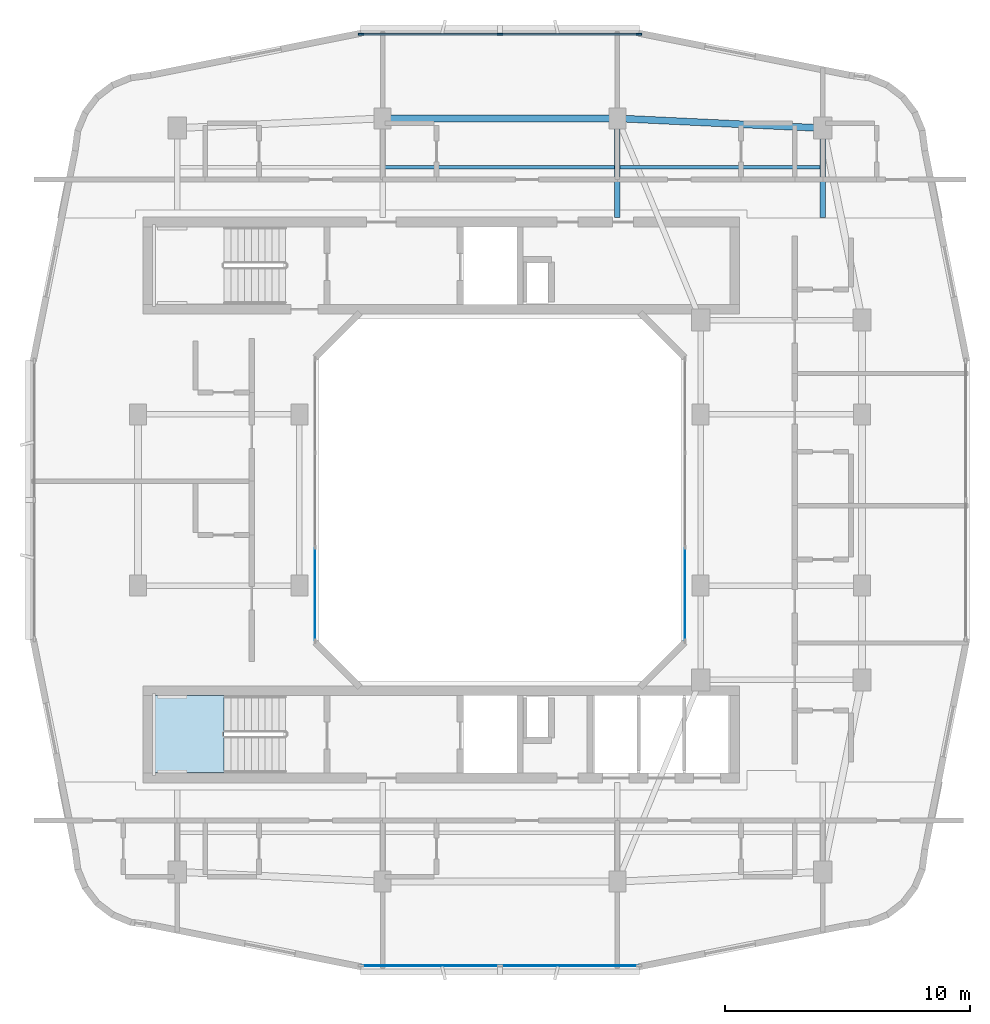
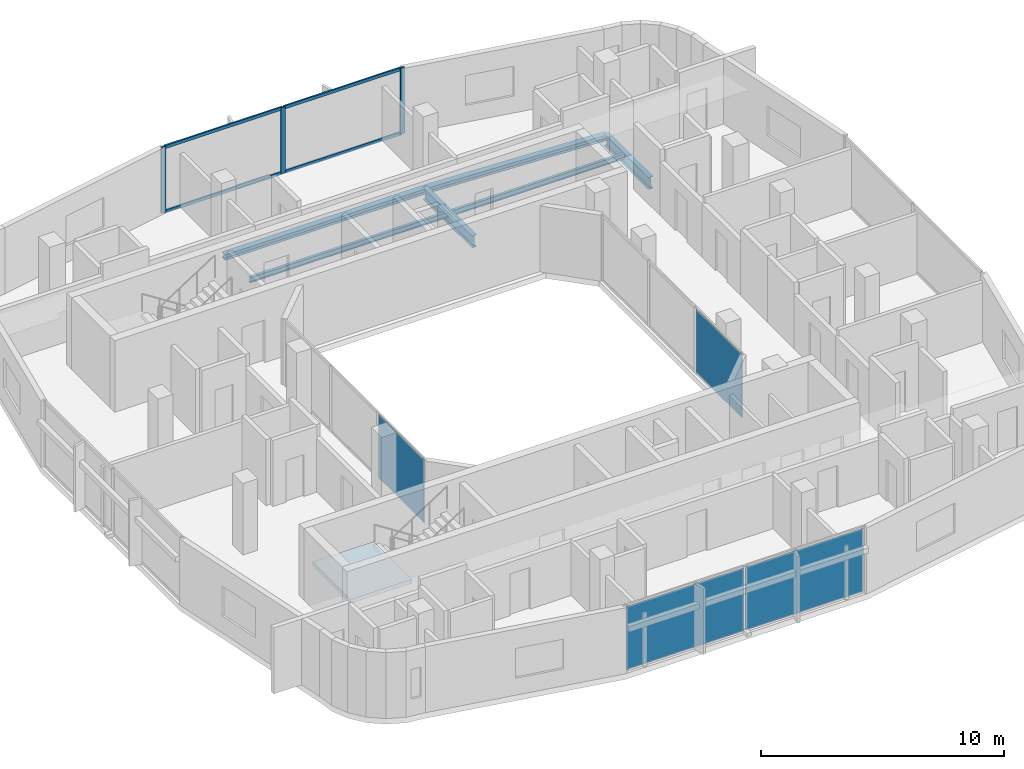
# One storey, part 5 of 14: 7 members, 6 beams, 4 plates, 1 slab, 5 elements without a shape of their own.
"""IFC4 building model written with IfcOpenShell, lengths in metres."""

from ifc_helpers import new_model, si_unit, derived_unit, direction, frame, origin, origin_2d, place, context, subcontext, project, spatial, polyline, rectangle, i_section, outline, extrude, material, layer, layer_set, material_profile, profile_set, type_object, element, aggregate, save


model = new_model("IFC4")

# Units and contexts
model_context = context("Model", 3, precision=1e-05, world=origin(), true_north=direction((0.0, 1.0)))
body_context = subcontext(model_context, "Body", "Model", "MODEL_VIEW")
ifc_project = project(units=[si_unit("LENGTHUNIT", "METRE"), si_unit("AREAUNIT", "SQUARE_METRE"), si_unit("VOLUMEUNIT", "CUBIC_METRE"), si_unit("PLANEANGLEUNIT", "RADIAN"), si_unit("MASSUNIT", "GRAM", prefix="KILO"), derived_unit("THERMALTRANSMITTANCEUNIT", [(si_unit("POWERUNIT", "WATT"), 1), (si_unit("LENGTHUNIT", "METRE"), -2), (si_unit("THERMODYNAMICTEMPERATUREUNIT", "KELVIN"), -1)])], contexts=[model_context])

# Site, building, storey
site_placement = place(None, origin())
site = spatial("IfcSite", under=ifc_project, at=site_placement, CompositionType="ELEMENT")
building_placement = place(site_placement, origin())
building = spatial("IfcBuilding", under=site, at=building_placement, Name="Kivonza Crest Hotel", CompositionType="ELEMENT")
storey_placement = place(building_placement, frame((0.0, 0.0, 224.300048828125)))
storey = spatial("IfcBuildingStorey", under=building, at=storey_placement, Name="L61", CompositionType="ELEMENT", Elevation=224.300048828125)

# Beams
ifc_material_1 = material(Name="Steel S355", Category="steel")
ifc_material_profile_1 = material_profile(ifc_material_1, i_section(OverallWidth=0.280029296875, OverallDepth=0.280029296875, WebThickness=0.010498046875, FlangeThickness=0.01806640625, FilletRadius=0.02392578125, at=origin_2d()), Name="HEB 280")
ifc_profile_set_1 = profile_set([ifc_material_profile_1], Name="Steel S355")
beam_type_1 = type_object("IfcBeamType", Name="BM-HEB280", PredefinedType="SPANDREL", material=ifc_profile_set_1)
beam_1_placement = place(storey_placement, frame((34.199951171875, 40.199951171875, -0.420166015625), z_axis=(-0.998867283688, 0.047583080799, 0.0), x_axis=(-0.047583080799, -0.998867283688, 0.0)))
element("IfcBeam", 1, at=beam_1_placement, inside=storey, type_object=beam_type_1, Name="Tower T1 L61 perimeter spandrel NE-N2", PredefinedType="SPANDREL", context=body_context, shape_type="SweptSolid", body=[
    extrude(i_section(OverallWidth=0.280029296875, OverallDepth=0.280029296875, WebThickness=0.010498046875, FlangeThickness=0.01806640625, FilletRadius=0.02392578125, at=origin_2d()), origin(), (0.0, 0.0, 1.0), 8.409423828125),
])
beam_2_placement = place(storey_placement, frame((25.800048828125, 40.60009765625, -0.420166015625), z_axis=(-1.0, 0.0, 0.0), x_axis=(0.0, -1.0, 0.0)))
element("IfcBeam", 2, at=beam_2_placement, inside=storey, type_object=beam_type_1, Name="Tower T1 L61 perimeter spandrel N2-N1", PredefinedType="SPANDREL", context=body_context, shape_type="SweptSolid", body=[
    extrude(i_section(OverallWidth=0.280029296875, OverallDepth=0.280029296875, WebThickness=0.010498046875, FlangeThickness=0.01806640625, FilletRadius=0.02392578125, at=origin_2d()), origin(), (0.0, 0.0, 1.0), 9.60009765625),
])
ifc_material_profile_2 = material_profile(ifc_material_1, i_section(OverallWidth=0.135009765625, OverallDepth=0.27001953125, WebThickness=0.006591796875, FlangeThickness=0.01025390625, FilletRadius=0.014892578125, at=origin_2d()), Name="IPE 270")
ifc_profile_set_2 = profile_set([ifc_material_profile_2], Name="Steel S355")
beam_type_2 = type_object("IfcBeamType", Name="BM-IPE270", PredefinedType="JOIST", material=ifc_profile_set_2)
beam_3_placement = place(storey_placement, frame((16.280029296875, 38.60009765625, -0.4150390625), z_axis=(1.0, 0.0, 0.0), x_axis=(0.0, 1.0, 0.0)))
element("IfcBeam", 3, at=beam_3_placement, inside=storey, type_object=beam_type_2, Name="Tower T1 L61 North-Mid floor joist", PredefinedType="JOIST", context=body_context, shape_type="SweptSolid", body=[
    extrude(i_section(OverallWidth=0.135009765625, OverallDepth=0.27001953125, WebThickness=0.006591796875, FlangeThickness=0.01025390625, FilletRadius=0.014892578125, at=origin_2d()), origin(), (0.0, 0.0, 1.0), 9.43994140625),
])
beam_4_placement = place(storey_placement, frame((25.8798828125, 38.60009765625, -0.4150390625), z_axis=(1.0, 0.0, 0.0), x_axis=(0.0, 1.0, 0.0)))
element("IfcBeam", 4, at=beam_4_placement, inside=storey, type_object=beam_type_2, Name="Tower T1 L61 North-East floor joist", PredefinedType="JOIST", context=body_context, shape_type="SweptSolid", body=[
    extrude(i_section(OverallWidth=0.135009765625, OverallDepth=0.27001953125, WebThickness=0.006591796875, FlangeThickness=0.01025390625, FilletRadius=0.014892578125, at=origin_2d()), origin(), (0.0, 0.0, 1.0), 8.240234375),
])
ifc_material_profile_3 = material_profile(ifc_material_1, i_section(OverallWidth=0.219970703125, OverallDepth=0.60009765625, WebThickness=0.011962890625, FlangeThickness=0.01904296875, FilletRadius=0.02392578125, at=origin_2d()), Name="IPE 600")
ifc_profile_set_3 = profile_set([ifc_material_profile_3], Name="Steel S355")
beam_type_3 = type_object("IfcBeamType", Name="BM-IPE600", PredefinedType="BEAM", material=ifc_profile_set_3)
beam_5_placement = place(storey_placement, frame((25.800048828125, 40.60009765625, -0.580078125), z_axis=(0.0, -1.0, 0.0), x_axis=(1.0, 0.0, 0.0)))
element("IfcBeam", 5, at=beam_5_placement, inside=storey, type_object=beam_type_3, Name="Tower T1 L61 radial core girder RN2", PredefinedType="BEAM", context=body_context, shape_type="SweptSolid", body=[
    extrude(i_section(OverallWidth=0.219970703125, OverallDepth=0.60009765625, WebThickness=0.011962890625, FlangeThickness=0.01904296875, FilletRadius=0.02392578125, at=origin_2d()), origin(), (0.0, 0.0, 1.0), 4.050048828125),
])
beam_6_placement = place(storey_placement, frame((34.199951171875, 40.199951171875, -0.580078125), z_axis=(0.0, -1.0, 0.0), x_axis=(1.0, 0.0, 0.0)))
element("IfcBeam", 6, at=beam_6_placement, inside=storey, type_object=beam_type_3, Name="Tower T1 L61 radial core girder RNE", PredefinedType="BEAM", context=body_context, shape_type="SweptSolid", body=[
    extrude(i_section(OverallWidth=0.219970703125, OverallDepth=0.60009765625, WebThickness=0.011962890625, FlangeThickness=0.01904296875, FilletRadius=0.02392578125, at=origin_2d()), origin(), (0.0, 0.0, 1.0), 3.64990234375),
])

# Curtain wall, members
ifc_material_2 = material(Name="Anodised bronze aluminium and low-E double glazing", Category="aluminium")
ifc_layer_1 = layer(ifc_material_2, 0.179931640625)
ifc_layer_set_1 = layer_set([ifc_layer_1], Name="Anodised bronze aluminium and low-E double glazing")
curtain_wall_type_1 = type_object("IfcCurtainWallType", Name="CW-SYS-3", PredefinedType="NOTDEFINED", material=ifc_layer_set_1)
curtain_wall_1_placement = place(storey_placement, origin())
curtain_wall_1 = element("IfcCurtainWall", 7, at=curtain_wall_1_placement, inside=storey, type_object=curtain_wall_type_1, Name="L61 unitised curtain wall CW-T1-L61-26", PredefinedType="NOTDEFINED")
ifc_material_3 = material(Name="Anodised bronze aluminium", Category="aluminium")
ifc_material_profile_4 = material_profile(ifc_material_3, rectangle(XDim=0.074951171875, YDim=0.219970703125, at=origin_2d()), Name="CW-M 75x220")
ifc_profile_set_4 = profile_set([ifc_material_profile_4], Name="Anodised bronze aluminium")
member_type_1 = type_object("IfcMemberType", Name="CW-MUL-75x220", PredefinedType="MULLION", material=ifc_profile_set_4)
member_1_placement = place(storey_placement, frame((26.6826171875, 44.0400390625, 0.0), z_axis=(0.0, 0.0, 1.0), x_axis=(0.0, -1.0, 0.0)))
member_1 = element("IfcMember", 8, at=member_1_placement, type_object=member_type_1, Name="CW-3 mullion 1", PredefinedType="MULLION", context=body_context, shape_type="SweptSolid", body=[
    extrude(rectangle(XDim=0.074951171875, YDim=0.219970703125, at=origin_2d()), origin(), (0.0, 0.0, 1.0), 3.320068359375),
])
member_2_placement = place(storey_placement, frame((21.0, 44.0400390625, 0.0), z_axis=(0.0, 0.0, 1.0), x_axis=(0.0, -1.0, 0.0)))
member_2 = element("IfcMember", 9, at=member_2_placement, type_object=member_type_1, Name="CW-3 mullion 2", PredefinedType="MULLION", context=body_context, shape_type="SweptSolid", body=[
    extrude(rectangle(XDim=0.074951171875, YDim=0.219970703125, at=origin_2d()), origin(), (0.0, 0.0, 1.0), 3.320068359375),
])
member_3_placement = place(storey_placement, frame((15.3173828125, 44.0400390625, 0.0), z_axis=(0.0, 0.0, 1.0), x_axis=(0.0, -1.0, 0.0)))
member_3 = element("IfcMember", 10, at=member_3_placement, type_object=member_type_1, Name="CW-3 mullion 3", PredefinedType="MULLION", context=body_context, shape_type="SweptSolid", body=[
    extrude(rectangle(XDim=0.074951171875, YDim=0.219970703125, at=origin_2d()), origin(), (0.0, 0.0, 1.0), 3.320068359375),
])
ifc_material_profile_5 = material_profile(ifc_material_3, rectangle(XDim=0.074951171875, YDim=0.159912109375, at=origin_2d()), Name="CW-T 75x160")
ifc_profile_set_5 = profile_set([ifc_material_profile_5], Name="Anodised bronze aluminium")
member_type_2 = type_object("IfcMemberType", Name="CW-TRN-75x160", PredefinedType="USERDEFINED", material=ifc_profile_set_5)
member_4_placement = place(storey_placement, frame((26.64501953125, 44.0400390625, 0.037353515625), z_axis=(-1.0, 0.0, 0.0), x_axis=(0.0, -1.0, 0.0)))
member_4 = element("IfcMember", 11, at=member_4_placement, type_object=member_type_2, Name="CW-3 transom 1.1", ObjectType="TRANSOM", PredefinedType="USERDEFINED", context=body_context, shape_type="SweptSolid", body=[
    extrude(rectangle(XDim=0.074951171875, YDim=0.159912109375, at=origin_2d()), origin(), (0.0, 0.0, 1.0), 5.607421875),
])
member_5_placement = place(storey_placement, frame((26.64501953125, 44.0400390625, 3.282470703125), z_axis=(-1.0, 0.0, 0.0), x_axis=(0.0, -1.0, 0.0)))
member_5 = element("IfcMember", 12, at=member_5_placement, type_object=member_type_2, Name="CW-3 transom 1.2", ObjectType="TRANSOM", PredefinedType="USERDEFINED", context=body_context, shape_type="SweptSolid", body=[
    extrude(rectangle(XDim=0.074951171875, YDim=0.159912109375, at=origin_2d()), origin(), (0.0, 0.0, 1.0), 5.607421875),
])
member_6_placement = place(storey_placement, frame((20.96240234375, 44.0400390625, 0.037353515625), z_axis=(-1.0, 0.0, 0.0), x_axis=(0.0, -1.0, 0.0)))
member_6 = element("IfcMember", 13, at=member_6_placement, type_object=member_type_2, Name="CW-3 transom 2.1", ObjectType="TRANSOM", PredefinedType="USERDEFINED", context=body_context, shape_type="SweptSolid", body=[
    extrude(rectangle(XDim=0.074951171875, YDim=0.159912109375, at=origin_2d()), origin(), (0.0, 0.0, 1.0), 5.607421875),
])
member_7_placement = place(storey_placement, frame((20.96240234375, 44.0400390625, 3.282470703125), z_axis=(-1.0, 0.0, 0.0), x_axis=(0.0, -1.0, 0.0)))
member_7 = element("IfcMember", 14, at=member_7_placement, type_object=member_type_2, Name="CW-3 transom 2.2", ObjectType="TRANSOM", PredefinedType="USERDEFINED", context=body_context, shape_type="SweptSolid", body=[
    extrude(rectangle(XDim=0.074951171875, YDim=0.159912109375, at=origin_2d()), origin(), (0.0, 0.0, 1.0), 5.607421875),
])
aggregate(curtain_wall_1, [member_1, member_2, member_3, member_4, member_5, member_6, member_7])

# Curtain wall, plate
ifc_layer_2 = layer(ifc_material_2, 0.159912109375)
ifc_layer_set_2 = layer_set([ifc_layer_2], Name="Anodised bronze aluminium and low-E double glazing")
curtain_wall_type_2 = type_object("IfcCurtainWallType", Name="CW-SYS-5", PredefinedType="NOTDEFINED", material=ifc_layer_set_2)
curtain_wall_2_placement = place(storey_placement, origin())
curtain_wall_2 = element("IfcCurtainWall", 15, at=curtain_wall_2_placement, inside=storey, type_object=curtain_wall_type_2, Name="L61 unitised curtain wall CW-WELL-T1-L61-3", PredefinedType="NOTDEFINED")
ifc_material_4 = material(Name="Solar-control low-E double glazing", Category="glass")
ifc_layer_3 = layer(ifc_material_4, 0.028076171875)
ifc_layer_set_3 = layer_set([ifc_layer_3], Name="Solar-control low-E double glazing")
plate_type_1 = type_object("IfcPlateType", Name="CW-PNL-28", PredefinedType="CURTAIN_PANEL", material=ifc_layer_set_3)
plate_1_placement = place(storey_placement, frame((28.56005859375, 21.149658203125, 0.06494140625), z_axis=(0.0, 0.0, 1.0), x_axis=(0.0, 1.0, 0.0)))
plate_1 = element("IfcPlate", 16, at=plate_1_placement, type_object=plate_type_1, Name="CW-5 panel 1.1", PredefinedType="CURTAIN_PANEL", context=body_context, shape_type="SweptSolid", body=[
    extrude(rectangle(XDim=3.769287109375, YDim=0.028076171875, at=origin_2d()), origin(), (0.0, 0.0, 1.0), 3.18994140625),
])
aggregate(curtain_wall_2, [plate_1])

curtain_wall_3_placement = place(storey_placement, origin())
curtain_wall_3 = element("IfcCurtainWall", 17, at=curtain_wall_3_placement, inside=storey, type_object=curtain_wall_type_2, Name="L61 unitised curtain wall CW-WELL-T1-L61-7", PredefinedType="NOTDEFINED")
plate_2_placement = place(storey_placement, frame((13.43994140625, 21.149658203125, 0.06494140625), z_axis=(0.0, 0.0, 1.0), x_axis=(0.0, -1.0, 0.0)))
plate_2 = element("IfcPlate", 18, at=plate_2_placement, type_object=plate_type_1, Name="CW-5 panel 3.1", PredefinedType="CURTAIN_PANEL", context=body_context, shape_type="SweptSolid", body=[
    extrude(rectangle(XDim=3.769287109375, YDim=0.028076171875, at=origin_2d()), origin(), (0.0, 0.0, 1.0), 3.18994140625),
])
aggregate(curtain_wall_3, [plate_2])

# Curtain wall, plates
curtain_wall_4_placement = place(storey_placement, origin())
curtain_wall_4 = element("IfcCurtainWall", 19, at=curtain_wall_4_placement, inside=storey, type_object=curtain_wall_type_1, Name="L61 unitised curtain wall CW-T1-L61-08", PredefinedType="NOTDEFINED")
ifc_material_5 = material(Name="Acoustic triple-laminated low-E glazing", Category="glass")
ifc_layer_4 = layer(ifc_material_5, 0.035888671875)
ifc_layer_set_4 = layer_set([ifc_layer_4], Name="Acoustic triple-laminated low-E glazing")
plate_type_2 = type_object("IfcPlateType", Name="CW-PNL-36", PredefinedType="CURTAIN_PANEL", material=ifc_layer_set_4)
plate_3_placement = place(storey_placement, frame((18.15869140625, 5.9599609375, 0.074951171875), z_axis=(0.0, 0.0, 1.0), x_axis=(1.0, 0.0, 0.0)))
plate_3 = element("IfcPlate", 20, at=plate_3_placement, type_object=plate_type_2, Name="CW-3 panel 1.1", PredefinedType="CURTAIN_PANEL", context=body_context, shape_type="SweptSolid", body=[
    extrude(rectangle(XDim=5.607421875, YDim=0.035888671875, at=origin_2d()), origin(), (0.0, 0.0, 1.0), 3.169921875),
])
plate_4_placement = place(storey_placement, frame((23.84130859375, 5.9599609375, 0.074951171875), z_axis=(0.0, 0.0, 1.0), x_axis=(1.0, 0.0, 0.0)))
plate_4 = element("IfcPlate", 21, at=plate_4_placement, type_object=plate_type_2, Name="CW-3 panel 2.1", PredefinedType="CURTAIN_PANEL", context=body_context, shape_type="SweptSolid", body=[
    extrude(rectangle(XDim=5.607421875, YDim=0.035888671875, at=origin_2d()), origin(), (0.0, 0.0, 1.0), 3.169921875),
])
aggregate(curtain_wall_4, [plate_3, plate_4])

# Stair, slab
ifc_material_6 = material(Name="Concrete C40/50", Category="concrete")
stair_type = type_object("IfcStairType", Name="ST-DL-20R", PredefinedType="HALF_TURN_STAIR", material=ifc_material_6)
stair_placement = place(storey_placement, origin())
stair = element("IfcStair", 22, at=stair_placement, inside=storey, type_object=stair_type, Name="L61 Protected Exit Stair ST-T1-S", PredefinedType="HALF_TURN_STAIR")
ifc_layer_5 = layer(ifc_material_6, 0.199951171875)
ifc_layer_set_5 = layer_set([ifc_layer_5], Name="Concrete C40/50")
slab_type = type_object("IfcSlabType", Name="SL-LAND-200", PredefinedType="LANDING", material=ifc_layer_set_5)
slab_placement = place(storey_placement, frame((0.0, 0.0, 1.599853515625)))
slab = element("IfcSlab", 23, at=slab_placement, type_object=slab_type, Name="ST-T1-S landing 1", PredefinedType="LANDING", context=body_context, shape_type="SweptSolid", body=[
    extrude(outline(polyline([(9.719970703125, 17.0), (6.800048828125, 17.0), (6.800048828125, 13.860107421875), (9.719970703125, 13.860107421875), (9.719970703125, 17.0)])), origin(), (0.0, 0.0, 1.0), 0.2001953125),
])
aggregate(stair, [slab])

save(model, "model.ifc")
